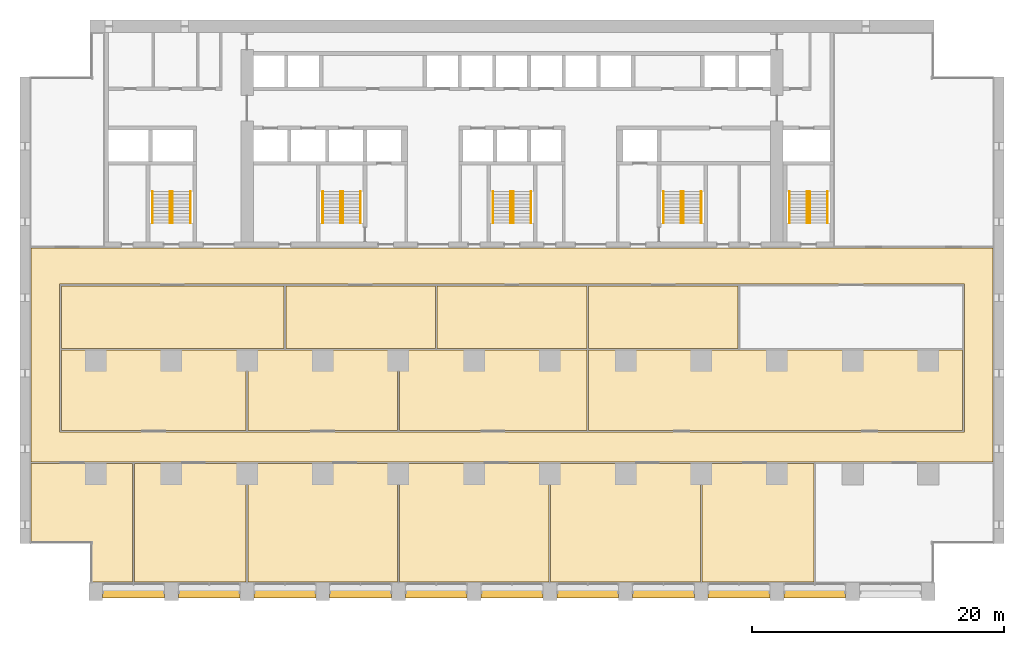
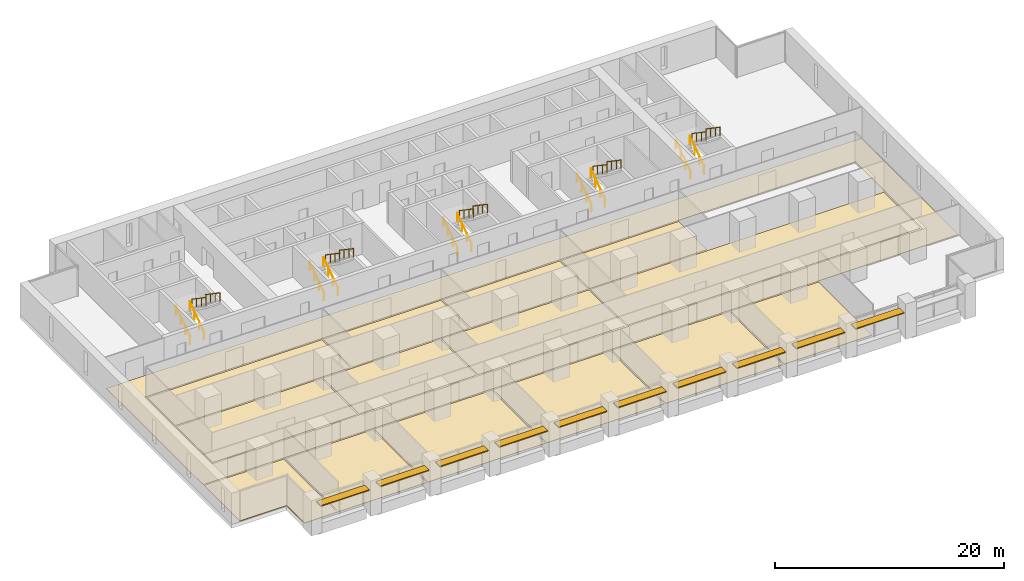
# One storey, part 17 of 18: 20 railings, 15 coverings, 10 shading devices, 5 elements without a shape of their own.
"""IFC4 building model written with IfcOpenShell, lengths in metres."""

from ifc_helpers import new_model, si_unit, direction, frame, origin, origin_2d, place, context, subcontext, project, spatial, polyline, rectangle, circle, outline, extrude, material, layer, layer_set, material_profile, profile_set, type_object, element, aggregate, save


model = new_model("IFC4")

# Units and contexts
model_context = context("Model", 3, precision=1e-05, world=origin(), true_north=direction((0.0, 1.0)))
body_context = subcontext(model_context, "Body", "Model", "MODEL_VIEW")
ifc_project = project(units=[si_unit("LENGTHUNIT", "METRE"), si_unit("AREAUNIT", "SQUARE_METRE"), si_unit("VOLUMEUNIT", "CUBIC_METRE"), si_unit("PLANEANGLEUNIT", "RADIAN"), si_unit("MASSUNIT", "GRAM", prefix="KILO")], contexts=[model_context])

# Site, building, storey
site_placement = place(None, origin())
site = spatial("IfcSite", under=ifc_project, at=site_placement, CompositionType="ELEMENT")
building_placement = place(site_placement, origin())
building = spatial("IfcBuilding", under=site, at=building_placement, Name="Calvaro Tower", CompositionType="ELEMENT")
storey_placement = place(building_placement, frame((0.0, 0.0, 52.5)))
storey = spatial("IfcBuildingStorey", under=building, at=storey_placement, Name="L12", CompositionType="ELEMENT", Elevation=52.5)

# Shading devices
ifc_material_1 = material(Name="Anodised aluminium", Category="aluminium")
ifc_material_profile = material_profile(ifc_material_1, rectangle(XDim=0.800048828125, YDim=0.10009765625, at=origin_2d()), Name="Brise-soleil blade 800 x 100")
ifc_profile_set = profile_set([ifc_material_profile], Name="Anodised aluminium")
shading_device_type = type_object("IfcShadingDeviceType", Name="Brise-soleil blade 800 x 100", PredefinedType="JALOUSIE", material=ifc_profile_set)
for number, where, z_axis, x_axis, name in (
    (1, (6.550048828125, 0.60009765625, 2.300048828125), (1.0, 0.0, 0.0), (0.0, 1.0, 0.0), "Brise-soleil blade 1"),
    (2, (12.550048828125, 0.60009765625, 2.300048828125), (1.0, 0.0, 0.0), (0.0, 1.0, 0.0), "Brise-soleil blade 2"),
    (3, (18.550048828125, 0.60009765625, 2.300048828125), (1.0, 0.0, 0.0), (0.0, 1.0, 0.0), "Brise-soleil blade 3"),
    (4, (24.550048828125, 0.60009765625, 2.300048828125), (1.0, 0.0, 0.0), (0.0, 1.0, 0.0), "Brise-soleil blade 4"),
    (5, (30.550048828125, 0.60009765625, 2.300048828125), (1.0, 0.0, 0.0), (0.0, 1.0, 0.0), "Brise-soleil blade 5"),
    (6, (36.550048828125, 0.60009765625, 2.300048828125), (1.0, 0.0, 0.0), (0.0, 1.0, 0.0), "Brise-soleil blade 6"),
    (7, (42.550048828125, 0.60009765625, 2.300048828125), (1.0, 0.0, 0.0), (0.0, 1.0, 0.0), "Brise-soleil blade 7"),
    (8, (48.550048828125, 0.60009765625, 2.300048828125), (1.0, 0.0, 0.0), (0.0, 1.0, 0.0), "Brise-soleil blade 8"),
    (9, (54.550048828125, 0.60009765625, 2.300048828125), (1.0, 0.0, 0.0), (0.0, 1.0, 0.0), "Brise-soleil blade 9"),
    (10, (60.550048828125, 0.60009765625, 2.300048828125), (1.0, 0.0, 0.0), (0.0, 1.0, 0.0), "Brise-soleil blade 10"),
):
    element("IfcShadingDevice", number, at=place(storey_placement, frame(where, z_axis=z_axis, x_axis=x_axis)), inside=storey, type_object=shading_device_type, Name=name, PredefinedType="JALOUSIE", context=body_context, shape_type="SweptSolid", body=[
        extrude(rectangle(XDim=0.800048828125, YDim=0.10009765625, at=origin_2d()), origin(), (0.0, 0.0, 1.0), 4.89990234375),
    ])

# Coverings
ifc_material_2 = material(Name="Cement screed with carpet tile finish")
ifc_layer = layer(ifc_material_2, 0.050048828125)
ifc_layer_set = layer_set([ifc_layer], Name="Cement screed with carpet tile finish")
covering_type = type_object("IfcCoveringType", Name="Floor finish 50", PredefinedType="FLOORING", material=ifc_layer_set)
covering_1_placement = place(storey_placement, origin())
element("IfcCovering", 11, at=covering_1_placement, inside=storey, type_object=covering_type, Name="Floor finish 11.01", PredefinedType="FLOORING", context=body_context, shape_type="SweptSolid", body=[
    extrude(outline(polyline([(0.8701171875, 10.969970703125), (0.8701171875, 27.929931640625), (77.1298828125, 27.929931640625), (77.1298828125, 10.969970703125), (0.8701171875, 10.969970703125)]), holes=[polyline([(74.8701171875, 13.330078125), (74.8701171875, 25.070068359375), (3.1298828125, 25.070068359375), (3.1298828125, 13.330078125), (74.8701171875, 13.330078125)])]), origin(), (0.0, 0.0, 1.0), 0.050048828125),
])
covering_2_placement = place(storey_placement, origin())
element("IfcCovering", 12, at=covering_2_placement, inside=storey, type_object=covering_type, Name="Floor finish 11.08", PredefinedType="FLOORING", context=body_context, shape_type="SweptSolid", body=[
    extrude(outline(polyline([(8.929931640625, 10.830078125), (8.929931640625, 1.469970703125), (5.6201171875, 1.469970703125), (5.6201171875, 4.570068359375), (0.8701171875, 4.570068359375), (0.8701171875, 10.830078125), (8.929931640625, 10.830078125)])), origin(), (0.0, 0.0, 1.0), 0.050048828125),
])
covering_3_placement = place(storey_placement, origin())
element("IfcCovering", 13, at=covering_3_placement, inside=storey, type_object=covering_type, Name="Floor finish 11.02", PredefinedType="FLOORING", context=body_context, shape_type="SweptSolid", body=[
    extrude(outline(polyline([(9.070068359375, 10.830078125), (17.929931640625, 10.830078125), (17.929931640625, 1.469970703125), (9.070068359375, 1.469970703125), (9.070068359375, 10.830078125)])), origin(), (0.0, 0.0, 1.0), 0.050048828125),
])
covering_4_placement = place(storey_placement, origin())
element("IfcCovering", 14, at=covering_4_placement, inside=storey, type_object=covering_type, Name="Floor finish 11.04", PredefinedType="FLOORING", context=body_context, shape_type="SweptSolid", body=[
    extrude(outline(polyline([(18.070068359375, 10.830078125), (29.929931640625, 10.830078125), (29.929931640625, 1.469970703125), (18.070068359375, 1.469970703125), (18.070068359375, 10.830078125)])), origin(), (0.0, 0.0, 1.0), 0.050048828125),
])
covering_5_placement = place(storey_placement, origin())
element("IfcCovering", 15, at=covering_5_placement, inside=storey, type_object=covering_type, Name="Floor finish 11.05", PredefinedType="FLOORING", context=body_context, shape_type="SweptSolid", body=[
    extrude(outline(polyline([(30.070068359375, 10.830078125), (41.929931640625, 10.830078125), (41.929931640625, 1.469970703125), (30.070068359375, 1.469970703125), (30.070068359375, 10.830078125)])), origin(), (0.0, 0.0, 1.0), 0.050048828125),
])
covering_6_placement = place(storey_placement, origin())
element("IfcCovering", 16, at=covering_6_placement, inside=storey, type_object=covering_type, Name="Floor finish 11.06", PredefinedType="FLOORING", context=body_context, shape_type="SweptSolid", body=[
    extrude(outline(polyline([(42.070068359375, 10.830078125), (53.929931640625, 10.830078125), (53.929931640625, 1.469970703125), (42.070068359375, 1.469970703125), (42.070068359375, 10.830078125)])), origin(), (0.0, 0.0, 1.0), 0.050048828125),
])
covering_7_placement = place(storey_placement, origin())
element("IfcCovering", 17, at=covering_7_placement, inside=storey, type_object=covering_type, Name="Floor finish 11.03", PredefinedType="FLOORING", context=body_context, shape_type="SweptSolid", body=[
    extrude(outline(polyline([(54.070068359375, 10.830078125), (62.929931640625, 10.830078125), (62.929931640625, 1.469970703125), (54.070068359375, 1.469970703125), (54.070068359375, 10.830078125)])), origin(), (0.0, 0.0, 1.0), 0.050048828125),
])
covering_8_placement = place(storey_placement, origin())
element("IfcCovering", 18, at=covering_8_placement, inside=storey, type_object=covering_type, Name="Floor finish 11.09", PredefinedType="FLOORING", context=body_context, shape_type="SweptSolid", body=[
    extrude(outline(polyline([(3.27001953125, 13.469970703125), (3.27001953125, 19.830078125), (17.929931640625, 19.830078125), (17.929931640625, 13.469970703125), (3.27001953125, 13.469970703125)])), origin(), (0.0, 0.0, 1.0), 0.050048828125),
])
covering_9_placement = place(storey_placement, origin())
element("IfcCovering", 19, at=covering_9_placement, inside=storey, type_object=covering_type, Name="Floor finish 11.12", PredefinedType="FLOORING", context=body_context, shape_type="SweptSolid", body=[
    extrude(outline(polyline([(18.070068359375, 13.469970703125), (18.070068359375, 19.830078125), (29.929931640625, 19.830078125), (29.929931640625, 13.469970703125), (18.070068359375, 13.469970703125)])), origin(), (0.0, 0.0, 1.0), 0.050048828125),
])
covering_10_placement = place(storey_placement, origin())
element("IfcCovering", 20, at=covering_10_placement, inside=storey, type_object=covering_type, Name="Floor finish 11.10", PredefinedType="FLOORING", context=body_context, shape_type="SweptSolid", body=[
    extrude(outline(polyline([(30.070068359375, 13.469970703125), (30.070068359375, 19.830078125), (44.929931640625, 19.830078125), (44.929931640625, 13.469970703125), (30.070068359375, 13.469970703125)])), origin(), (0.0, 0.0, 1.0), 0.050048828125),
])
covering_11_placement = place(storey_placement, origin())
element("IfcCovering", 21, at=covering_11_placement, inside=storey, type_object=covering_type, Name="Floor finish 11.11", PredefinedType="FLOORING", context=body_context, shape_type="SweptSolid", body=[
    extrude(outline(polyline([(45.070068359375, 13.469970703125), (45.070068359375, 19.830078125), (74.72998046875, 19.830078125), (74.72998046875, 13.469970703125), (45.070068359375, 13.469970703125)])), origin(), (0.0, 0.0, 1.0), 0.050048828125),
])
covering_12_placement = place(storey_placement, origin())
element("IfcCovering", 22, at=covering_12_placement, inside=storey, type_object=covering_type, Name="Floor finish 11.13", PredefinedType="FLOORING", context=body_context, shape_type="SweptSolid", body=[
    extrude(outline(polyline([(3.27001953125, 19.969970703125), (3.27001953125, 24.929931640625), (20.929931640625, 24.929931640625), (20.929931640625, 19.969970703125), (3.27001953125, 19.969970703125)])), origin(), (0.0, 0.0, 1.0), 0.050048828125),
])
covering_13_placement = place(storey_placement, origin())
element("IfcCovering", 23, at=covering_13_placement, inside=storey, type_object=covering_type, Name="Floor finish 11.15", PredefinedType="FLOORING", context=body_context, shape_type="SweptSolid", body=[
    extrude(outline(polyline([(21.070068359375, 19.969970703125), (21.070068359375, 24.929931640625), (32.929931640625, 24.929931640625), (32.929931640625, 19.969970703125), (21.070068359375, 19.969970703125)])), origin(), (0.0, 0.0, 1.0), 0.050048828125),
])
covering_14_placement = place(storey_placement, origin())
element("IfcCovering", 24, at=covering_14_placement, inside=storey, type_object=covering_type, Name="Floor finish 11.16", PredefinedType="FLOORING", context=body_context, shape_type="SweptSolid", body=[
    extrude(outline(polyline([(33.070068359375, 19.969970703125), (33.070068359375, 24.929931640625), (44.929931640625, 24.929931640625), (44.929931640625, 19.969970703125), (33.070068359375, 19.969970703125)])), origin(), (0.0, 0.0, 1.0), 0.050048828125),
])
covering_15_placement = place(storey_placement, origin())
element("IfcCovering", 25, at=covering_15_placement, inside=storey, type_object=covering_type, Name="Floor finish 11.17", PredefinedType="FLOORING", context=body_context, shape_type="SweptSolid", body=[
    extrude(outline(polyline([(45.070068359375, 19.969970703125), (45.070068359375, 24.929931640625), (56.929931640625, 24.929931640625), (56.929931640625, 19.969970703125), (45.070068359375, 19.969970703125)])), origin(), (0.0, 0.0, 1.0), 0.050048828125),
])

# Stair, railings
ifc_material_3 = material(Name="Concrete C40/50", Category="concrete")
stair_type = type_object("IfcStairType", Name="Exit stair 1400 2 flights", PredefinedType="HALF_TURN_STAIR", material=ifc_material_3)
stair_1_placement = place(storey_placement, origin())
stair_1 = element("IfcStair", 26, at=stair_1_placement, inside=storey, type_object=stair_type, Name="Exit stair S1", PredefinedType="HALF_TURN_STAIR")
ifc_material_4 = material(Name="Stainless steel", Category="steel")
railing_type = type_object("IfcRailingType", Name="Stair handrail", PredefinedType="HANDRAIL", material=ifc_material_4)
railing_1_placement = place(storey_placement, frame((11.89990234375, 29.89990234375, 0.17041015625)))
railing_1 = element("IfcRailing", 27, at=railing_1_placement, type_object=railing_type, Name="Exit stair 1 handrail", PredefinedType="HANDRAIL", context=body_context, shape_type="SweptSolid", body=[
    extrude(circle(Radius=0.02392578125, at=origin_2d()), frame((0.0, 0.0, 0.8759765625), z_axis=(0.0, 0.826220514629, 0.563346839174), x_axis=(-1.0, 0.0, 0.0)), (0.0, 0.0, 1.0), 3.02587890625),
    extrude(circle(Radius=0.02099609375, at=origin_2d()), frame((0.0, 0.017333984375, 0.01171875)), (0.0, 0.0, 1.0), 0.851806640625),
    extrude(circle(Radius=0.02099609375, at=origin_2d()), frame((0.0, 0.833251953125, 0.568115234375)), (0.0, 0.0, 1.0), 0.851806640625),
    extrude(circle(Radius=0.02099609375, at=origin_2d()), frame((0.0, 1.666748046875, 1.136474609375)), (0.0, 0.0, 1.0), 0.851806640625),
    extrude(circle(Radius=0.02099609375, at=origin_2d()), frame((0.0, 2.482666015625, 1.69287109375)), (0.0, 0.0, 1.0), 0.851806640625),
])
railing_2_placement = place(storey_placement, frame((10.5, 29.89990234375, 0.17041015625)))
railing_2 = element("IfcRailing", 28, at=railing_2_placement, type_object=railing_type, Name="Exit stair 1 handrail", PredefinedType="HANDRAIL", context=body_context, shape_type="SweptSolid", body=[
    extrude(circle(Radius=0.02392578125, at=origin_2d()), frame((0.0, 0.0, 0.8759765625), z_axis=(0.0, 0.826220514629, 0.563346839174), x_axis=(-1.0, 0.0, 0.0)), (0.0, 0.0, 1.0), 3.02587890625),
    extrude(circle(Radius=0.02099609375, at=origin_2d()), frame((0.0, 0.017333984375, 0.01171875)), (0.0, 0.0, 1.0), 0.851806640625),
    extrude(circle(Radius=0.02099609375, at=origin_2d()), frame((0.0, 0.833251953125, 0.568115234375)), (0.0, 0.0, 1.0), 0.851806640625),
    extrude(circle(Radius=0.02099609375, at=origin_2d()), frame((0.0, 1.666748046875, 1.136474609375)), (0.0, 0.0, 1.0), 0.851806640625),
    extrude(circle(Radius=0.02099609375, at=origin_2d()), frame((0.0, 2.482666015625, 1.69287109375)), (0.0, 0.0, 1.0), 0.851806640625),
])
railing_3_placement = place(storey_placement, frame((12.10009765625, 32.39990234375, 2.04541015625)))
railing_3 = element("IfcRailing", 29, at=railing_3_placement, type_object=railing_type, Name="Exit stair 1 handrail", PredefinedType="HANDRAIL", context=body_context, shape_type="SweptSolid", body=[
    extrude(circle(Radius=0.02392578125, at=origin_2d()), frame((0.0, 0.0, 0.8759765625), z_axis=(0.0, -0.826220514629, 0.563346839174), x_axis=(1.0, 0.0, 0.0)), (0.0, 0.0, 1.0), 3.02587890625),
    extrude(circle(Radius=0.02099609375, at=origin_2d()), frame((0.0, -0.017333984375, 0.01171875)), (0.0, 0.0, 1.0), 0.851806640625),
    extrude(circle(Radius=0.02099609375, at=origin_2d()), frame((0.0, -0.833251953125, 0.568115234375)), (0.0, 0.0, 1.0), 0.851806640625),
    extrude(circle(Radius=0.02099609375, at=origin_2d()), frame((0.0, -1.666748046875, 1.136474609375)), (0.0, 0.0, 1.0), 0.851806640625),
    extrude(circle(Radius=0.02099609375, at=origin_2d()), frame((0.0, -2.482666015625, 1.69287109375)), (0.0, 0.0, 1.0), 0.851806640625),
])
railing_4_placement = place(storey_placement, frame((13.5, 32.39990234375, 2.04541015625)))
railing_4 = element("IfcRailing", 30, at=railing_4_placement, type_object=railing_type, Name="Exit stair 1 handrail", PredefinedType="HANDRAIL", context=body_context, shape_type="SweptSolid", body=[
    extrude(circle(Radius=0.02392578125, at=origin_2d()), frame((0.0, 0.0, 0.8759765625), z_axis=(0.0, -0.826220514629, 0.563346839174), x_axis=(1.0, 0.0, 0.0)), (0.0, 0.0, 1.0), 3.02587890625),
    extrude(circle(Radius=0.02099609375, at=origin_2d()), frame((0.0, -0.017333984375, 0.01171875)), (0.0, 0.0, 1.0), 0.851806640625),
    extrude(circle(Radius=0.02099609375, at=origin_2d()), frame((0.0, -0.833251953125, 0.568115234375)), (0.0, 0.0, 1.0), 0.851806640625),
    extrude(circle(Radius=0.02099609375, at=origin_2d()), frame((0.0, -1.666748046875, 1.136474609375)), (0.0, 0.0, 1.0), 0.851806640625),
    extrude(circle(Radius=0.02099609375, at=origin_2d()), frame((0.0, -2.482666015625, 1.69287109375)), (0.0, 0.0, 1.0), 0.851806640625),
])
aggregate(stair_1, [railing_1, railing_2, railing_3, railing_4])

stair_2_placement = place(storey_placement, origin())
stair_2 = element("IfcStair", 31, at=stair_2_placement, inside=storey, type_object=stair_type, Name="Exit stair S2", PredefinedType="HALF_TURN_STAIR")
railing_5_placement = place(storey_placement, frame((25.39990234375, 29.89990234375, 0.17041015625)))
railing_5 = element("IfcRailing", 32, at=railing_5_placement, type_object=railing_type, Name="Exit stair 2 handrail", PredefinedType="HANDRAIL", context=body_context, shape_type="SweptSolid", body=[
    extrude(circle(Radius=0.02392578125, at=origin_2d()), frame((0.0, 0.0, 0.8759765625), z_axis=(0.0, 0.826220514629, 0.563346839174), x_axis=(-1.0, 0.0, 0.0)), (0.0, 0.0, 1.0), 3.02587890625),
    extrude(circle(Radius=0.02099609375, at=origin_2d()), frame((0.0, 0.017333984375, 0.01171875)), (0.0, 0.0, 1.0), 0.851806640625),
    extrude(circle(Radius=0.02099609375, at=origin_2d()), frame((0.0, 0.833251953125, 0.568115234375)), (0.0, 0.0, 1.0), 0.851806640625),
    extrude(circle(Radius=0.02099609375, at=origin_2d()), frame((0.0, 1.666748046875, 1.136474609375)), (0.0, 0.0, 1.0), 0.851806640625),
    extrude(circle(Radius=0.02099609375, at=origin_2d()), frame((0.0, 2.482666015625, 1.69287109375)), (0.0, 0.0, 1.0), 0.851806640625),
])
railing_6_placement = place(storey_placement, frame((24.0, 29.89990234375, 0.17041015625)))
railing_6 = element("IfcRailing", 33, at=railing_6_placement, type_object=railing_type, Name="Exit stair 2 handrail", PredefinedType="HANDRAIL", context=body_context, shape_type="SweptSolid", body=[
    extrude(circle(Radius=0.02392578125, at=origin_2d()), frame((0.0, 0.0, 0.8759765625), z_axis=(0.0, 0.826220514629, 0.563346839174), x_axis=(-1.0, 0.0, 0.0)), (0.0, 0.0, 1.0), 3.02587890625),
    extrude(circle(Radius=0.02099609375, at=origin_2d()), frame((0.0, 0.017333984375, 0.01171875)), (0.0, 0.0, 1.0), 0.851806640625),
    extrude(circle(Radius=0.02099609375, at=origin_2d()), frame((0.0, 0.833251953125, 0.568115234375)), (0.0, 0.0, 1.0), 0.851806640625),
    extrude(circle(Radius=0.02099609375, at=origin_2d()), frame((0.0, 1.666748046875, 1.136474609375)), (0.0, 0.0, 1.0), 0.851806640625),
    extrude(circle(Radius=0.02099609375, at=origin_2d()), frame((0.0, 2.482666015625, 1.69287109375)), (0.0, 0.0, 1.0), 0.851806640625),
])
railing_7_placement = place(storey_placement, frame((25.60009765625, 32.39990234375, 2.04541015625)))
railing_7 = element("IfcRailing", 34, at=railing_7_placement, type_object=railing_type, Name="Exit stair 2 handrail", PredefinedType="HANDRAIL", context=body_context, shape_type="SweptSolid", body=[
    extrude(circle(Radius=0.02392578125, at=origin_2d()), frame((0.0, 0.0, 0.8759765625), z_axis=(0.0, -0.826220514629, 0.563346839174), x_axis=(1.0, 0.0, 0.0)), (0.0, 0.0, 1.0), 3.02587890625),
    extrude(circle(Radius=0.02099609375, at=origin_2d()), frame((0.0, -0.017333984375, 0.01171875)), (0.0, 0.0, 1.0), 0.851806640625),
    extrude(circle(Radius=0.02099609375, at=origin_2d()), frame((0.0, -0.833251953125, 0.568115234375)), (0.0, 0.0, 1.0), 0.851806640625),
    extrude(circle(Radius=0.02099609375, at=origin_2d()), frame((0.0, -1.666748046875, 1.136474609375)), (0.0, 0.0, 1.0), 0.851806640625),
    extrude(circle(Radius=0.02099609375, at=origin_2d()), frame((0.0, -2.482666015625, 1.69287109375)), (0.0, 0.0, 1.0), 0.851806640625),
])
railing_8_placement = place(storey_placement, frame((27.0, 32.39990234375, 2.04541015625)))
railing_8 = element("IfcRailing", 35, at=railing_8_placement, type_object=railing_type, Name="Exit stair 2 handrail", PredefinedType="HANDRAIL", context=body_context, shape_type="SweptSolid", body=[
    extrude(circle(Radius=0.02392578125, at=origin_2d()), frame((0.0, 0.0, 0.8759765625), z_axis=(0.0, -0.826220514629, 0.563346839174), x_axis=(1.0, 0.0, 0.0)), (0.0, 0.0, 1.0), 3.02587890625),
    extrude(circle(Radius=0.02099609375, at=origin_2d()), frame((0.0, -0.017333984375, 0.01171875)), (0.0, 0.0, 1.0), 0.851806640625),
    extrude(circle(Radius=0.02099609375, at=origin_2d()), frame((0.0, -0.833251953125, 0.568115234375)), (0.0, 0.0, 1.0), 0.851806640625),
    extrude(circle(Radius=0.02099609375, at=origin_2d()), frame((0.0, -1.666748046875, 1.136474609375)), (0.0, 0.0, 1.0), 0.851806640625),
    extrude(circle(Radius=0.02099609375, at=origin_2d()), frame((0.0, -2.482666015625, 1.69287109375)), (0.0, 0.0, 1.0), 0.851806640625),
])
aggregate(stair_2, [railing_5, railing_6, railing_7, railing_8])

stair_3_placement = place(storey_placement, origin())
stair_3 = element("IfcStair", 36, at=stair_3_placement, inside=storey, type_object=stair_type, Name="Exit stair S3", PredefinedType="HALF_TURN_STAIR")
railing_9_placement = place(storey_placement, frame((38.89990234375, 29.89990234375, 0.17041015625)))
railing_9 = element("IfcRailing", 37, at=railing_9_placement, type_object=railing_type, Name="Exit stair 3 handrail", PredefinedType="HANDRAIL", context=body_context, shape_type="SweptSolid", body=[
    extrude(circle(Radius=0.02392578125, at=origin_2d()), frame((0.0, 0.0, 0.8759765625), z_axis=(0.0, 0.826220514629, 0.563346839174), x_axis=(-1.0, 0.0, 0.0)), (0.0, 0.0, 1.0), 3.02587890625),
    extrude(circle(Radius=0.02099609375, at=origin_2d()), frame((0.0, 0.017333984375, 0.01171875)), (0.0, 0.0, 1.0), 0.851806640625),
    extrude(circle(Radius=0.02099609375, at=origin_2d()), frame((0.0, 0.833251953125, 0.568115234375)), (0.0, 0.0, 1.0), 0.851806640625),
    extrude(circle(Radius=0.02099609375, at=origin_2d()), frame((0.0, 1.666748046875, 1.136474609375)), (0.0, 0.0, 1.0), 0.851806640625),
    extrude(circle(Radius=0.02099609375, at=origin_2d()), frame((0.0, 2.482666015625, 1.69287109375)), (0.0, 0.0, 1.0), 0.851806640625),
])
railing_10_placement = place(storey_placement, frame((37.5, 29.89990234375, 0.17041015625)))
railing_10 = element("IfcRailing", 38, at=railing_10_placement, type_object=railing_type, Name="Exit stair 3 handrail", PredefinedType="HANDRAIL", context=body_context, shape_type="SweptSolid", body=[
    extrude(circle(Radius=0.02392578125, at=origin_2d()), frame((0.0, 0.0, 0.8759765625), z_axis=(0.0, 0.826220514629, 0.563346839174), x_axis=(-1.0, 0.0, 0.0)), (0.0, 0.0, 1.0), 3.02587890625),
    extrude(circle(Radius=0.02099609375, at=origin_2d()), frame((0.0, 0.017333984375, 0.01171875)), (0.0, 0.0, 1.0), 0.851806640625),
    extrude(circle(Radius=0.02099609375, at=origin_2d()), frame((0.0, 0.833251953125, 0.568115234375)), (0.0, 0.0, 1.0), 0.851806640625),
    extrude(circle(Radius=0.02099609375, at=origin_2d()), frame((0.0, 1.666748046875, 1.136474609375)), (0.0, 0.0, 1.0), 0.851806640625),
    extrude(circle(Radius=0.02099609375, at=origin_2d()), frame((0.0, 2.482666015625, 1.69287109375)), (0.0, 0.0, 1.0), 0.851806640625),
])
railing_11_placement = place(storey_placement, frame((39.10009765625, 32.39990234375, 2.04541015625)))
railing_11 = element("IfcRailing", 39, at=railing_11_placement, type_object=railing_type, Name="Exit stair 3 handrail", PredefinedType="HANDRAIL", context=body_context, shape_type="SweptSolid", body=[
    extrude(circle(Radius=0.02392578125, at=origin_2d()), frame((0.0, 0.0, 0.8759765625), z_axis=(0.0, -0.826220514629, 0.563346839174), x_axis=(1.0, 0.0, 0.0)), (0.0, 0.0, 1.0), 3.02587890625),
    extrude(circle(Radius=0.02099609375, at=origin_2d()), frame((0.0, -0.017333984375, 0.01171875)), (0.0, 0.0, 1.0), 0.851806640625),
    extrude(circle(Radius=0.02099609375, at=origin_2d()), frame((0.0, -0.833251953125, 0.568115234375)), (0.0, 0.0, 1.0), 0.851806640625),
    extrude(circle(Radius=0.02099609375, at=origin_2d()), frame((0.0, -1.666748046875, 1.136474609375)), (0.0, 0.0, 1.0), 0.851806640625),
    extrude(circle(Radius=0.02099609375, at=origin_2d()), frame((0.0, -2.482666015625, 1.69287109375)), (0.0, 0.0, 1.0), 0.851806640625),
])
railing_12_placement = place(storey_placement, frame((40.5, 32.39990234375, 2.04541015625)))
railing_12 = element("IfcRailing", 40, at=railing_12_placement, type_object=railing_type, Name="Exit stair 3 handrail", PredefinedType="HANDRAIL", context=body_context, shape_type="SweptSolid", body=[
    extrude(circle(Radius=0.02392578125, at=origin_2d()), frame((0.0, 0.0, 0.8759765625), z_axis=(0.0, -0.826220514629, 0.563346839174), x_axis=(1.0, 0.0, 0.0)), (0.0, 0.0, 1.0), 3.02587890625),
    extrude(circle(Radius=0.02099609375, at=origin_2d()), frame((0.0, -0.017333984375, 0.01171875)), (0.0, 0.0, 1.0), 0.851806640625),
    extrude(circle(Radius=0.02099609375, at=origin_2d()), frame((0.0, -0.833251953125, 0.568115234375)), (0.0, 0.0, 1.0), 0.851806640625),
    extrude(circle(Radius=0.02099609375, at=origin_2d()), frame((0.0, -1.666748046875, 1.136474609375)), (0.0, 0.0, 1.0), 0.851806640625),
    extrude(circle(Radius=0.02099609375, at=origin_2d()), frame((0.0, -2.482666015625, 1.69287109375)), (0.0, 0.0, 1.0), 0.851806640625),
])
aggregate(stair_3, [railing_9, railing_10, railing_11, railing_12])

stair_4_placement = place(storey_placement, origin())
stair_4 = element("IfcStair", 41, at=stair_4_placement, inside=storey, type_object=stair_type, Name="Exit stair S4", PredefinedType="HALF_TURN_STAIR")
railing_13_placement = place(storey_placement, frame((52.39990234375, 29.89990234375, 0.17041015625)))
railing_13 = element("IfcRailing", 42, at=railing_13_placement, type_object=railing_type, Name="Exit stair 4 handrail", PredefinedType="HANDRAIL", context=body_context, shape_type="SweptSolid", body=[
    extrude(circle(Radius=0.02392578125, at=origin_2d()), frame((0.0, 0.0, 0.8759765625), z_axis=(0.0, 0.826220514629, 0.563346839174), x_axis=(-1.0, 0.0, 0.0)), (0.0, 0.0, 1.0), 3.02587890625),
    extrude(circle(Radius=0.02099609375, at=origin_2d()), frame((0.0, 0.017333984375, 0.01171875)), (0.0, 0.0, 1.0), 0.851806640625),
    extrude(circle(Radius=0.02099609375, at=origin_2d()), frame((0.0, 0.833251953125, 0.568115234375)), (0.0, 0.0, 1.0), 0.851806640625),
    extrude(circle(Radius=0.02099609375, at=origin_2d()), frame((0.0, 1.666748046875, 1.136474609375)), (0.0, 0.0, 1.0), 0.851806640625),
    extrude(circle(Radius=0.02099609375, at=origin_2d()), frame((0.0, 2.482666015625, 1.69287109375)), (0.0, 0.0, 1.0), 0.851806640625),
])
railing_14_placement = place(storey_placement, frame((51.0, 29.89990234375, 0.17041015625)))
railing_14 = element("IfcRailing", 43, at=railing_14_placement, type_object=railing_type, Name="Exit stair 4 handrail", PredefinedType="HANDRAIL", context=body_context, shape_type="SweptSolid", body=[
    extrude(circle(Radius=0.02392578125, at=origin_2d()), frame((0.0, 0.0, 0.8759765625), z_axis=(0.0, 0.826220514629, 0.563346839174), x_axis=(-1.0, 0.0, 0.0)), (0.0, 0.0, 1.0), 3.02587890625),
    extrude(circle(Radius=0.02099609375, at=origin_2d()), frame((0.0, 0.017333984375, 0.01171875)), (0.0, 0.0, 1.0), 0.851806640625),
    extrude(circle(Radius=0.02099609375, at=origin_2d()), frame((0.0, 0.833251953125, 0.568115234375)), (0.0, 0.0, 1.0), 0.851806640625),
    extrude(circle(Radius=0.02099609375, at=origin_2d()), frame((0.0, 1.666748046875, 1.136474609375)), (0.0, 0.0, 1.0), 0.851806640625),
    extrude(circle(Radius=0.02099609375, at=origin_2d()), frame((0.0, 2.482666015625, 1.69287109375)), (0.0, 0.0, 1.0), 0.851806640625),
])
railing_15_placement = place(storey_placement, frame((52.60009765625, 32.39990234375, 2.04541015625)))
railing_15 = element("IfcRailing", 44, at=railing_15_placement, type_object=railing_type, Name="Exit stair 4 handrail", PredefinedType="HANDRAIL", context=body_context, shape_type="SweptSolid", body=[
    extrude(circle(Radius=0.02392578125, at=origin_2d()), frame((0.0, 0.0, 0.8759765625), z_axis=(0.0, -0.826220514629, 0.563346839174), x_axis=(1.0, 0.0, 0.0)), (0.0, 0.0, 1.0), 3.02587890625),
    extrude(circle(Radius=0.02099609375, at=origin_2d()), frame((0.0, -0.017333984375, 0.01171875)), (0.0, 0.0, 1.0), 0.851806640625),
    extrude(circle(Radius=0.02099609375, at=origin_2d()), frame((0.0, -0.833251953125, 0.568115234375)), (0.0, 0.0, 1.0), 0.851806640625),
    extrude(circle(Radius=0.02099609375, at=origin_2d()), frame((0.0, -1.666748046875, 1.136474609375)), (0.0, 0.0, 1.0), 0.851806640625),
    extrude(circle(Radius=0.02099609375, at=origin_2d()), frame((0.0, -2.482666015625, 1.69287109375)), (0.0, 0.0, 1.0), 0.851806640625),
])
railing_16_placement = place(storey_placement, frame((54.0, 32.39990234375, 2.04541015625)))
railing_16 = element("IfcRailing", 45, at=railing_16_placement, type_object=railing_type, Name="Exit stair 4 handrail", PredefinedType="HANDRAIL", context=body_context, shape_type="SweptSolid", body=[
    extrude(circle(Radius=0.02392578125, at=origin_2d()), frame((0.0, 0.0, 0.8759765625), z_axis=(0.0, -0.826220514629, 0.563346839174), x_axis=(1.0, 0.0, 0.0)), (0.0, 0.0, 1.0), 3.02587890625),
    extrude(circle(Radius=0.02099609375, at=origin_2d()), frame((0.0, -0.017333984375, 0.01171875)), (0.0, 0.0, 1.0), 0.851806640625),
    extrude(circle(Radius=0.02099609375, at=origin_2d()), frame((0.0, -0.833251953125, 0.568115234375)), (0.0, 0.0, 1.0), 0.851806640625),
    extrude(circle(Radius=0.02099609375, at=origin_2d()), frame((0.0, -1.666748046875, 1.136474609375)), (0.0, 0.0, 1.0), 0.851806640625),
    extrude(circle(Radius=0.02099609375, at=origin_2d()), frame((0.0, -2.482666015625, 1.69287109375)), (0.0, 0.0, 1.0), 0.851806640625),
])
aggregate(stair_4, [railing_13, railing_14, railing_15, railing_16])

stair_5_placement = place(storey_placement, origin())
stair_5 = element("IfcStair", 46, at=stair_5_placement, inside=storey, type_object=stair_type, Name="Exit stair S5", PredefinedType="HALF_TURN_STAIR")
railing_17_placement = place(storey_placement, frame((62.39990234375, 29.89990234375, 0.17041015625)))
railing_17 = element("IfcRailing", 47, at=railing_17_placement, type_object=railing_type, Name="Exit stair 5 handrail", PredefinedType="HANDRAIL", context=body_context, shape_type="SweptSolid", body=[
    extrude(circle(Radius=0.02392578125, at=origin_2d()), frame((0.0, 0.0, 0.8759765625), z_axis=(0.0, 0.826220514629, 0.563346839174), x_axis=(-1.0, 0.0, 0.0)), (0.0, 0.0, 1.0), 3.02587890625),
    extrude(circle(Radius=0.02099609375, at=origin_2d()), frame((0.0, 0.017333984375, 0.01171875)), (0.0, 0.0, 1.0), 0.851806640625),
    extrude(circle(Radius=0.02099609375, at=origin_2d()), frame((0.0, 0.833251953125, 0.568115234375)), (0.0, 0.0, 1.0), 0.851806640625),
    extrude(circle(Radius=0.02099609375, at=origin_2d()), frame((0.0, 1.666748046875, 1.136474609375)), (0.0, 0.0, 1.0), 0.851806640625),
    extrude(circle(Radius=0.02099609375, at=origin_2d()), frame((0.0, 2.482666015625, 1.69287109375)), (0.0, 0.0, 1.0), 0.851806640625),
])
railing_18_placement = place(storey_placement, frame((61.0, 29.89990234375, 0.17041015625)))
railing_18 = element("IfcRailing", 48, at=railing_18_placement, type_object=railing_type, Name="Exit stair 5 handrail", PredefinedType="HANDRAIL", context=body_context, shape_type="SweptSolid", body=[
    extrude(circle(Radius=0.02392578125, at=origin_2d()), frame((0.0, 0.0, 0.8759765625), z_axis=(0.0, 0.826220514629, 0.563346839174), x_axis=(-1.0, 0.0, 0.0)), (0.0, 0.0, 1.0), 3.02587890625),
    extrude(circle(Radius=0.02099609375, at=origin_2d()), frame((0.0, 0.017333984375, 0.01171875)), (0.0, 0.0, 1.0), 0.851806640625),
    extrude(circle(Radius=0.02099609375, at=origin_2d()), frame((0.0, 0.833251953125, 0.568115234375)), (0.0, 0.0, 1.0), 0.851806640625),
    extrude(circle(Radius=0.02099609375, at=origin_2d()), frame((0.0, 1.666748046875, 1.136474609375)), (0.0, 0.0, 1.0), 0.851806640625),
    extrude(circle(Radius=0.02099609375, at=origin_2d()), frame((0.0, 2.482666015625, 1.69287109375)), (0.0, 0.0, 1.0), 0.851806640625),
])
railing_19_placement = place(storey_placement, frame((62.60009765625, 32.39990234375, 2.04541015625)))
railing_19 = element("IfcRailing", 49, at=railing_19_placement, type_object=railing_type, Name="Exit stair 5 handrail", PredefinedType="HANDRAIL", context=body_context, shape_type="SweptSolid", body=[
    extrude(circle(Radius=0.02392578125, at=origin_2d()), frame((0.0, 0.0, 0.8759765625), z_axis=(0.0, -0.826220514629, 0.563346839174), x_axis=(1.0, 0.0, 0.0)), (0.0, 0.0, 1.0), 3.02587890625),
    extrude(circle(Radius=0.02099609375, at=origin_2d()), frame((0.0, -0.017333984375, 0.01171875)), (0.0, 0.0, 1.0), 0.851806640625),
    extrude(circle(Radius=0.02099609375, at=origin_2d()), frame((0.0, -0.833251953125, 0.568115234375)), (0.0, 0.0, 1.0), 0.851806640625),
    extrude(circle(Radius=0.02099609375, at=origin_2d()), frame((0.0, -1.666748046875, 1.136474609375)), (0.0, 0.0, 1.0), 0.851806640625),
    extrude(circle(Radius=0.02099609375, at=origin_2d()), frame((0.0, -2.482666015625, 1.69287109375)), (0.0, 0.0, 1.0), 0.851806640625),
])
railing_20_placement = place(storey_placement, frame((64.0, 32.39990234375, 2.04541015625)))
railing_20 = element("IfcRailing", 50, at=railing_20_placement, type_object=railing_type, Name="Exit stair 5 handrail", PredefinedType="HANDRAIL", context=body_context, shape_type="SweptSolid", body=[
    extrude(circle(Radius=0.02392578125, at=origin_2d()), frame((0.0, 0.0, 0.8759765625), z_axis=(0.0, -0.826220514629, 0.563346839174), x_axis=(1.0, 0.0, 0.0)), (0.0, 0.0, 1.0), 3.02587890625),
    extrude(circle(Radius=0.02099609375, at=origin_2d()), frame((0.0, -0.017333984375, 0.01171875)), (0.0, 0.0, 1.0), 0.851806640625),
    extrude(circle(Radius=0.02099609375, at=origin_2d()), frame((0.0, -0.833251953125, 0.568115234375)), (0.0, 0.0, 1.0), 0.851806640625),
    extrude(circle(Radius=0.02099609375, at=origin_2d()), frame((0.0, -1.666748046875, 1.136474609375)), (0.0, 0.0, 1.0), 0.851806640625),
    extrude(circle(Radius=0.02099609375, at=origin_2d()), frame((0.0, -2.482666015625, 1.69287109375)), (0.0, 0.0, 1.0), 0.851806640625),
])
aggregate(stair_5, [railing_17, railing_18, railing_19, railing_20])

save(model, "model.ifc")
